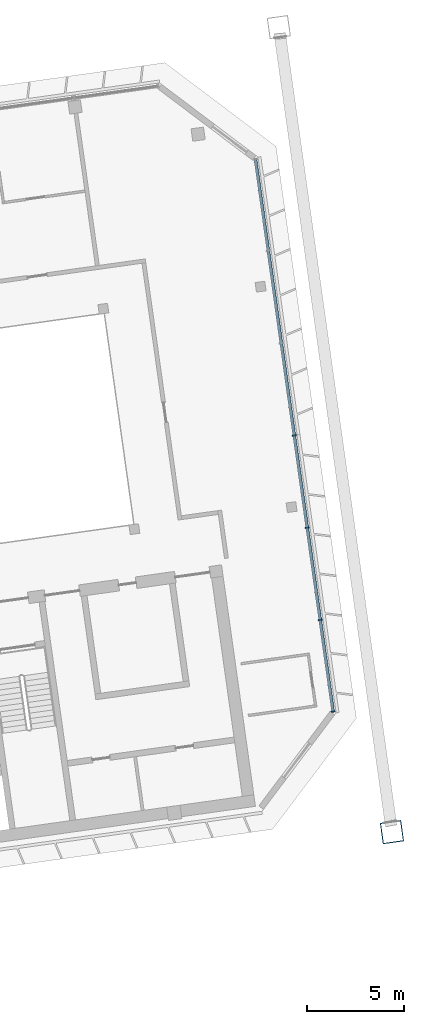
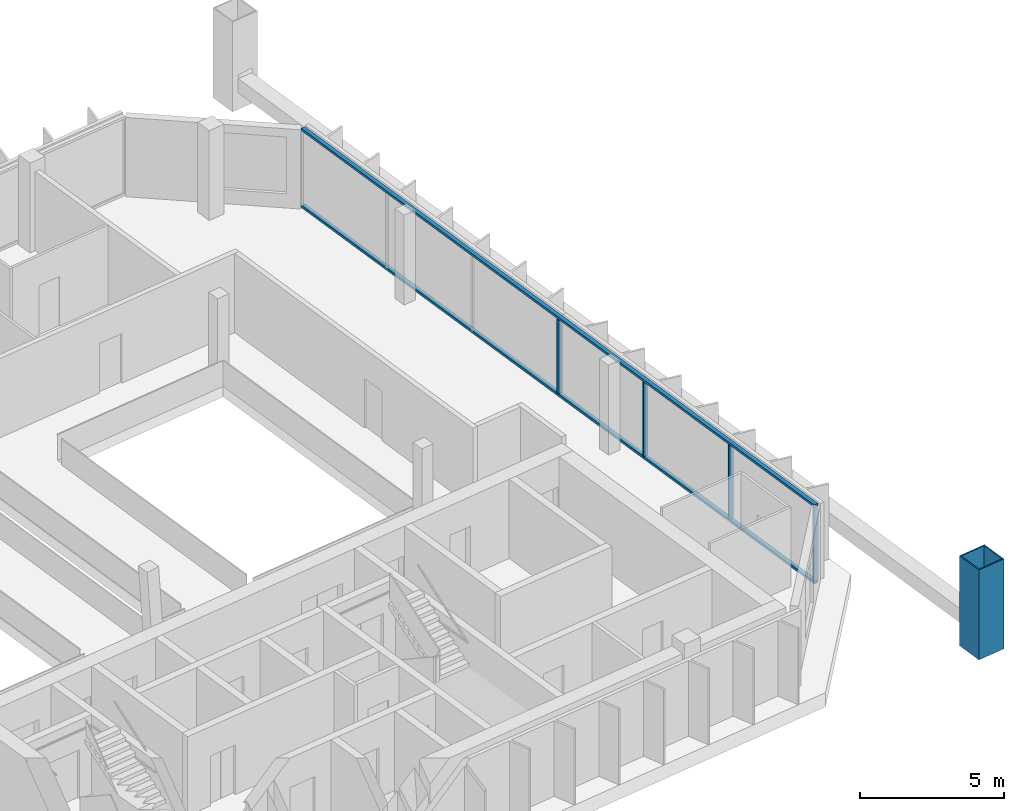
# One storey, part 12 of 26: 7 members, 1 element without a shape of its own.
"""IFC4 building model written with IfcOpenShell, lengths in metres."""

from ifc_helpers import new_model, si_unit, direction, frame, origin, origin_2d, place, context, subcontext, project, spatial, rectangle, hollow_rectangle, extrude, material, material_profile, profile_set, type_object, element, aggregate, save


model = new_model("IFC4")

# Units and contexts
model_context = context("Model", 3, precision=1e-05, world=origin(), true_north=direction((0.0, 1.0)))
body_context = subcontext(model_context, "Body", "Model", "MODEL_VIEW")
ifc_project = project(units=[si_unit("LENGTHUNIT", "METRE"), si_unit("AREAUNIT", "SQUARE_METRE"), si_unit("VOLUMEUNIT", "CUBIC_METRE"), si_unit("PLANEANGLEUNIT", "RADIAN"), si_unit("MASSUNIT", "GRAM", prefix="KILO")], contexts=[model_context])

# Site, building, storey
site_placement = place(None, origin())
site = spatial("IfcSite", under=ifc_project, at=site_placement, CompositionType="ELEMENT")
building_placement = place(site_placement, origin())
building = spatial("IfcBuilding", under=site, at=building_placement, Name="Mirante Cascada Hotel Towers", CompositionType="ELEMENT")
storey_placement = place(building_placement, frame((0.0, 0.0, 235.6)))
storey = spatial("IfcBuildingStorey", under=building, at=storey_placement, Name="L56", CompositionType="ELEMENT", Elevation=235.6)

# Member
ifc_material_1 = material(Name="Steel ASTM A572 Gr 50", Category="steel")
ifc_material_profile_1 = material_profile(ifc_material_1, hollow_rectangle(XDim=1.1, YDim=1.1, WallThickness=0.05, at=origin_2d()), Name="Box post 1100x1100x50 ASTM A572 Gr 50")
ifc_profile_set_1 = profile_set([ifc_material_profile_1], Name="Steel ASTM A572 Gr 50")
member_type_1 = type_object("IfcMemberType", Name="Box post 1100x1100x50 ASTM A572 Gr 50", PredefinedType="POST", material=ifc_profile_set_1)
member_1_placement = place(storey_placement, frame((70.5528, -17.5071, 0.0), z_axis=(0.0, 0.0, 1.0), x_axis=(0.9902681, 0.1391731, 0.0)))
element("IfcMember", 1, at=member_1_placement, inside=storey, type_object=member_type_1, Name="Mega column MP4 T2 L56", PredefinedType="POST", context=body_context, shape_type="SweptSolid", body=[
    extrude(hollow_rectangle(XDim=1.1, YDim=1.1, WallThickness=0.05, at=origin_2d()), origin(), (0.0, 0.0, 1.0), 3.8),
])

# Curtain wall, members
ifc_material_2 = material(Name="Aluminium mullion and transom frame with clear laminated glass", Category="aluminium")
curtain_wall_type = type_object("IfcCurtainWallType", Name="End ribbon curtain wall ECW2", PredefinedType="NOTDEFINED", material=ifc_material_2)
curtain_wall_placement = place(storey_placement, origin())
curtain_wall = element("IfcCurtainWall", 2, at=curtain_wall_placement, inside=storey, type_object=curtain_wall_type, Name="Outer end wall T2 L56", PredefinedType="NOTDEFINED")
ifc_material_3 = material(Name="Anodised aluminium extrusion", Category="aluminium")
ifc_material_profile_2 = material_profile(ifc_material_3, rectangle(XDim=0.2, YDim=0.065, at=origin_2d()), Name="ECW2 MULLION 65x200")
ifc_profile_set_2 = profile_set([ifc_material_profile_2], Name="Anodised aluminium extrusion")
member_type_2 = type_object("IfcMemberType", Name="ECW2 mullion 65x200", PredefinedType="MULLION", material=ifc_profile_set_2)
member_2_placement = place(storey_placement, frame((67.5059, -11.2758, 0.1), z_axis=(0.0, 0.0, 1.0), x_axis=(-0.9902681, -0.1391731, 0.0)))
member_2 = element("IfcMember", 3, at=member_2_placement, type_object=member_type_2, Name="ECW2 mullion 1", PredefinedType="MULLION", context=body_context, shape_type="SweptSolid", body=[
    extrude(rectangle(XDim=0.2, YDim=0.065, at=origin_2d()), origin(), (0.0, 0.0, 1.0), 3.15),
])
member_3_placement = place(storey_placement, frame((66.8407, -6.5422, 0.1), z_axis=(0.0, 0.0, 1.0), x_axis=(-0.9902681, -0.1391731, 0.0)))
member_3 = element("IfcMember", 4, at=member_3_placement, type_object=member_type_2, Name="ECW2 mullion 2", PredefinedType="MULLION", context=body_context, shape_type="SweptSolid", body=[
    extrude(rectangle(XDim=0.2, YDim=0.065, at=origin_2d()), origin(), (0.0, 0.0, 1.0), 3.15),
])
member_4_placement = place(storey_placement, frame((66.1709, -1.7764, 0.1), z_axis=(0.0, 0.0, 1.0), x_axis=(-0.9902681, -0.1391731, 0.0)))
member_4 = element("IfcMember", 5, at=member_4_placement, type_object=member_type_2, Name="ECW2 mullion 3", PredefinedType="MULLION", context=body_context, shape_type="SweptSolid", body=[
    extrude(rectangle(XDim=0.2, YDim=0.065, at=origin_2d()), origin(), (0.0, 0.0, 1.0), 3.15),
])
member_5_placement = place(storey_placement, frame((65.5011, 2.9894, 0.1), z_axis=(0.0, 0.0, 1.0), x_axis=(-0.9902681, -0.1391731, 0.0)))
member_5 = element("IfcMember", 6, at=member_5_placement, type_object=member_type_2, Name="ECW2 mullion 4", PredefinedType="MULLION", context=body_context, shape_type="SweptSolid", body=[
    extrude(rectangle(XDim=0.2, YDim=0.065, at=origin_2d()), origin(), (0.0, 0.0, 1.0), 3.15),
])
ifc_material_4 = material(Name="Anodised aluminium extrusion", Category="aluminium")
ifc_material_profile_3 = material_profile(ifc_material_4, rectangle(XDim=0.16, YDim=0.1, at=origin_2d()), Name="ECW2 TRANSOM 100x160")
ifc_profile_set_3 = profile_set([ifc_material_profile_3], Name="Anodised aluminium extrusion")
member_type_3 = type_object("IfcMemberType", Name="ECW2 transom 100x160", PredefinedType="USERDEFINED", material=ifc_profile_set_3)
member_6_placement = place(storey_placement, frame((67.5105, -11.308, 0.05), z_axis=(-0.1391757, 0.9902677, 0.0), x_axis=(-0.9902677, -0.1391757, 0.0)))
member_6 = element("IfcMember", 7, at=member_6_placement, type_object=member_type_3, Name="ECW2 sill transom", ObjectType="TRANSOM", PredefinedType="USERDEFINED", context=body_context, shape_type="SweptSolid", body=[
    extrude(rectangle(XDim=0.16, YDim=0.1, at=origin_2d()), origin(), (0.0, 0.0, 1.0), 28.8757),
])
member_7_placement = place(storey_placement, frame((67.5105, -11.308, 3.3), z_axis=(-0.1391757, 0.9902677, 0.0), x_axis=(-0.9902677, -0.1391757, 0.0)))
member_7 = element("IfcMember", 8, at=member_7_placement, type_object=member_type_3, Name="ECW2 head transom", ObjectType="TRANSOM", PredefinedType="USERDEFINED", context=body_context, shape_type="SweptSolid", body=[
    extrude(rectangle(XDim=0.16, YDim=0.1, at=origin_2d()), origin(), (0.0, 0.0, 1.0), 28.8757),
])
aggregate(curtain_wall, [member_6, member_7, member_2, member_3, member_4, member_5])

save(model, "model.ifc")
